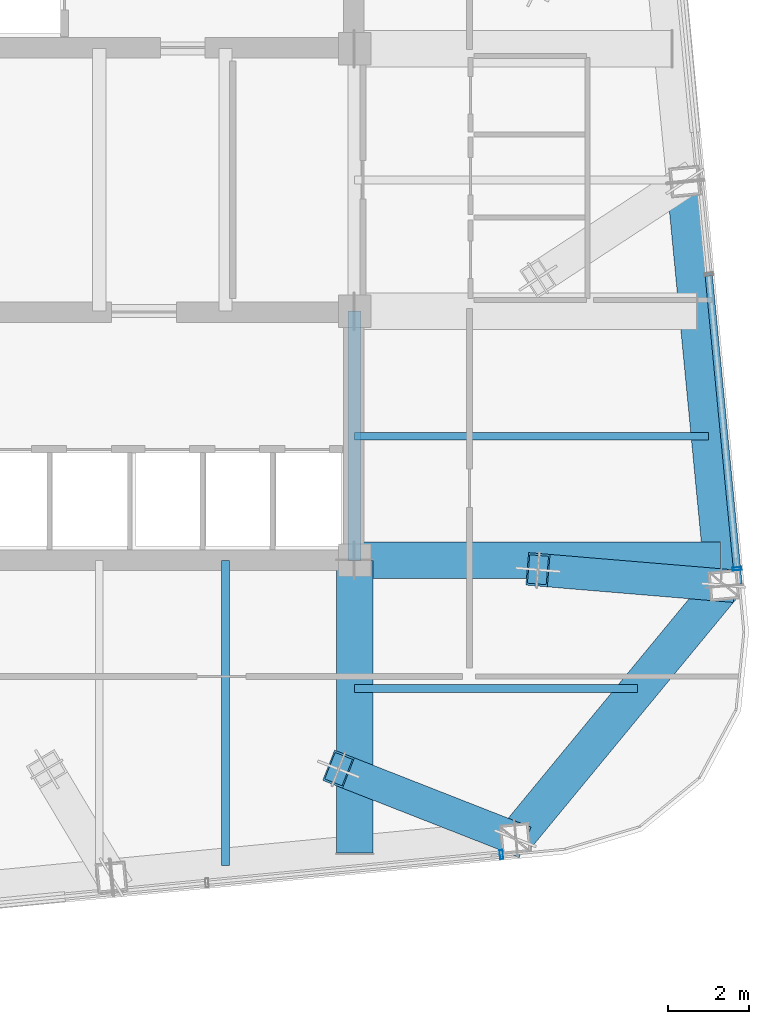
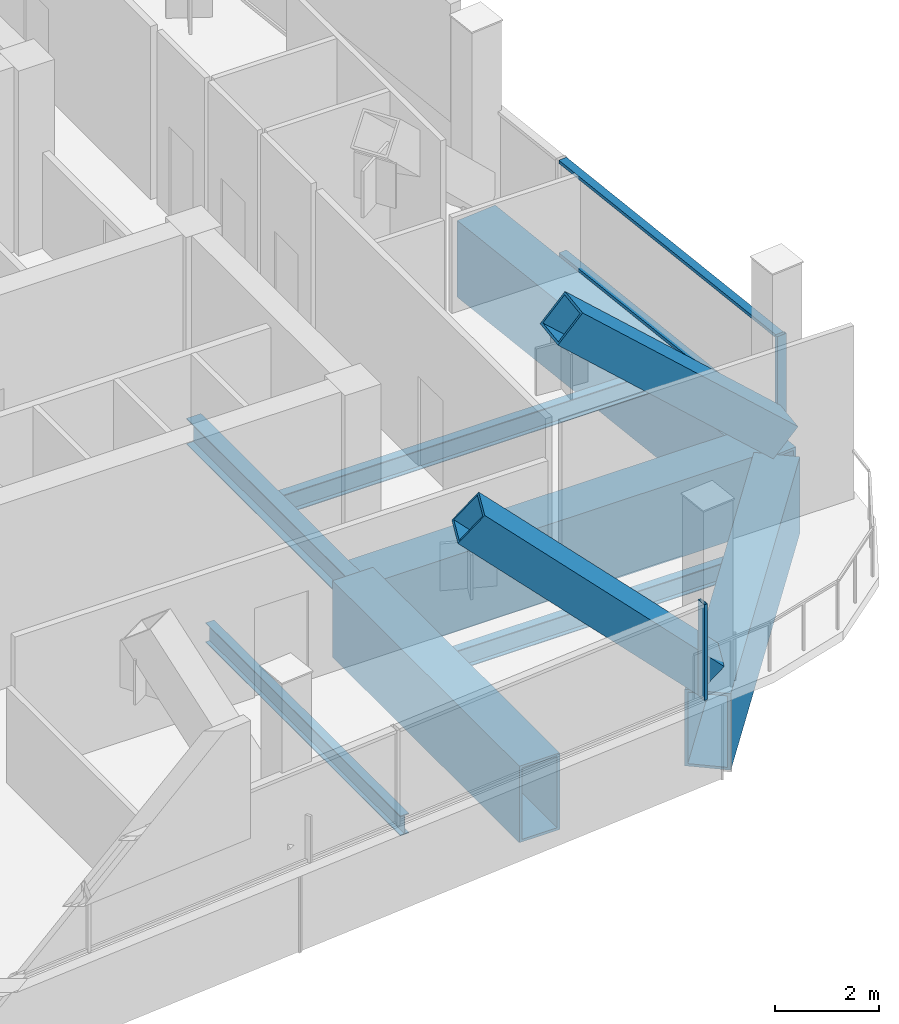
# One storey, part 8 of 22: 8 beams, 6 members, 2 elements without a shape of their own.
"""IFC4 building model written with IfcOpenShell, lengths in metres."""

from ifc_helpers import new_model, si_unit, direction, frame, origin, origin_2d, place, context, subcontext, project, spatial, hollow_rectangle, i_section, extrude, material, layer, layer_set, material_profile, profile_set, type_object, element, aggregate, save


model = new_model("IFC4")

# Units and contexts
model_context = context("Model", 3, precision=1e-05, world=origin(), true_north=direction((0.0, 1.0)))
body_context = subcontext(model_context, "Body", "Model", "MODEL_VIEW")
ifc_project = project(units=[si_unit("LENGTHUNIT", "METRE"), si_unit("AREAUNIT", "SQUARE_METRE"), si_unit("VOLUMEUNIT", "CUBIC_METRE"), si_unit("PLANEANGLEUNIT", "RADIAN"), si_unit("MASSUNIT", "GRAM", prefix="KILO")], contexts=[model_context])

# Site, building, storey
site_placement = place(None, origin())
site = spatial("IfcSite", under=ifc_project, at=site_placement, CompositionType="ELEMENT")
building_placement = place(site_placement, origin())
building = spatial("IfcBuilding", under=site, at=building_placement, Name="Qhalaya Broadcast Tower", CompositionType="ELEMENT")
storey_placement = place(building_placement, frame((0.0, 0.0, 183.60009765625)))
storey = spatial("IfcBuildingStorey", under=building, at=storey_placement, Name="L54", CompositionType="ELEMENT", Elevation=183.60009765625)

# Beams
ifc_material_1 = material(Name="Structural Steel ASTM A572 Grade 50", Category="steel")
ifc_material_profile_1 = material_profile(ifc_material_1, hollow_rectangle(XDim=0.89990234375, YDim=1.800048828125, WallThickness=0.06005859375, at=origin_2d()), Name="BOX 900x1800x60")
ifc_profile_set_1 = profile_set([ifc_material_profile_1], Name="Structural Steel ASTM A572 Grade 50")
beam_type_1 = type_object("IfcBeamType", Name="Block Cantilever Transfer Box Girder TG1", PredefinedType="USERDEFINED", material=ifc_profile_set_1)
beam_1_placement = place(storey_placement, frame((13.3203125, -15.58203125, -1.1201171875), z_axis=(0.636085107008, 0.771618906354, 0.0), x_axis=(-0.771618906354, 0.636085107008, 0.0)))
element("IfcBeam", 1, at=beam_1_placement, inside=storey, type_object=beam_type_1, Name="L54 TG1 L54-SPR-04", ObjectType="GIRDER", PredefinedType="USERDEFINED", context=body_context, shape_type="SweptSolid", body=[
    extrude(hollow_rectangle(XDim=0.89990234375, YDim=1.800048828125, WallThickness=0.06005859375, at=origin_2d()), origin(), (0.0, 0.0, 1.0), 8.06103515625),
])
beam_2_placement = place(storey_placement, frame((18.44775390625, -9.362060546875, -1.1201171875), z_axis=(-0.095826293365, 0.995398071879, 0.0), x_axis=(-0.995398071879, -0.095826293365, 0.0)))
element("IfcBeam", 2, at=beam_2_placement, inside=storey, type_object=beam_type_1, Name="L54 TG1 L54-SPR-05", ObjectType="GIRDER", PredefinedType="USERDEFINED", context=body_context, shape_type="SweptSolid", body=[
    extrude(hollow_rectangle(XDim=0.89990234375, YDim=1.800048828125, WallThickness=0.06005859375, at=origin_2d()), origin(), (0.0, 0.0, 1.0), 9.966796875),
])
beam_3_placement = place(storey_placement, frame((9.375, -15.94189453125, -1.1201171875), z_axis=(0.0, 1.0, 0.0), x_axis=(-1.0, 0.0, 0.0)))
element("IfcBeam", 3, at=beam_3_placement, inside=storey, type_object=beam_type_1, Name="L54 TG1 L54-PGXS2-1", ObjectType="GIRDER", PredefinedType="USERDEFINED", context=body_context, shape_type="SweptSolid", body=[
    extrude(hollow_rectangle(XDim=0.89990234375, YDim=1.800048828125, WallThickness=0.06005859375, at=origin_2d()), origin(), (0.0, 0.0, 1.0), 7.19189453125),
])
beam_4_placement = place(storey_placement, frame((9.375, -8.75, -1.1201171875), z_axis=(1.0, 0.0, 0.0), x_axis=(0.0, 1.0, 0.0)))
element("IfcBeam", 4, at=beam_4_placement, inside=storey, type_object=beam_type_1, Name="L54 TG1 L54-PGYE1-1", ObjectType="GIRDER", PredefinedType="USERDEFINED", context=body_context, shape_type="SweptSolid", body=[
    extrude(hollow_rectangle(XDim=0.89990234375, YDim=1.800048828125, WallThickness=0.06005859375, at=origin_2d()), origin(), (0.0, 0.0, 1.0), 8.993896484375),
])
ifc_material_2 = material(Name="Structural Steel ASTM A992 Grade 50", Category="steel")
ifc_material_profile_2 = material_profile(ifc_material_2, i_section(OverallWidth=0.19189453125, OverallDepth=0.462890625, WebThickness=0.010498046875, FlangeThickness=0.017578125, at=origin_2d()), Name="W18X60")
ifc_profile_set_2 = profile_set([ifc_material_profile_2], Name="Structural Steel ASTM A992 Grade 50")
beam_type_2 = type_object("IfcBeamType", Name="Composite Floor Joist J03", PredefinedType="JOIST", material=ifc_profile_set_2)
beam_5_placement = place(storey_placement, frame((6.199951171875, -16.24755859375, -0.45166015625), z_axis=(0.0, 1.0, 0.0), x_axis=(-1.0, 0.0, 0.0)))
element("IfcBeam", 5, at=beam_5_placement, inside=storey, type_object=beam_type_2, Name="L54 J03 L54-JNS5-1", PredefinedType="JOIST", context=body_context, shape_type="SweptSolid", body=[
    extrude(i_section(OverallWidth=0.19189453125, OverallDepth=0.462890625, WebThickness=0.010498046875, FlangeThickness=0.017578125, at=origin_2d()), origin(), (0.0, 0.0, 1.0), 7.49755859375),
])
beam_6_placement = place(storey_placement, frame((9.375, -11.89990234375, -0.45166015625), z_axis=(1.0, 0.0, 0.0), x_axis=(0.0, 1.0, 0.0)))
element("IfcBeam", 6, at=beam_6_placement, inside=storey, type_object=beam_type_2, Name="L54 J03 L54-JWE2E-1", PredefinedType="JOIST", context=body_context, shape_type="SweptSolid", body=[
    extrude(i_section(OverallWidth=0.19189453125, OverallDepth=0.462890625, WebThickness=0.010498046875, FlangeThickness=0.017578125, at=origin_2d()), origin(), (0.0, 0.0, 1.0), 6.95458984375),
])
beam_7_placement = place(storey_placement, frame((9.375, -5.699951171875, -0.45166015625), z_axis=(1.0, 0.0, 0.0), x_axis=(0.0, 1.0, 0.0)))
element("IfcBeam", 7, at=beam_7_placement, inside=storey, type_object=beam_type_2, Name="L54 J03 L54-JWE3E-1", PredefinedType="JOIST", context=body_context, shape_type="SweptSolid", body=[
    extrude(i_section(OverallWidth=0.19189453125, OverallDepth=0.462890625, WebThickness=0.010498046875, FlangeThickness=0.017578125, at=origin_2d()), origin(), (0.0, 0.0, 1.0), 8.7001953125),
])
ifc_material_profile_3 = material_profile(ifc_material_2, i_section(OverallWidth=0.323974609375, OverallDepth=0.612060546875, WebThickness=0.0126953125, FlangeThickness=0.01904296875, at=origin_2d()), Name="W24X104")
ifc_profile_set_3 = profile_set([ifc_material_profile_3], Name="Structural Steel ASTM A992 Grade 50")
beam_type_3 = type_object("IfcBeamType", Name="Core Frame Tie Beam B04", PredefinedType="BEAM", material=ifc_profile_set_3)
beam_8_placement = place(storey_placement, frame((9.375, -8.75, -0.526123046875), z_axis=(0.0, 1.0, 0.0), x_axis=(-1.0, 0.0, 0.0)))
element("IfcBeam", 8, at=beam_8_placement, inside=storey, type_object=beam_type_3, Name="L54 B04 L54-CCS2", PredefinedType="BEAM", context=body_context, shape_type="SweptSolid", body=[
    extrude(i_section(OverallWidth=0.323974609375, OverallDepth=0.612060546875, WebThickness=0.0126953125, FlangeThickness=0.01904296875, at=origin_2d()), origin(), (0.0, 0.0, 1.0), 6.125),
])

# Curtain wall, member
ifc_material_3 = material(Name="Fired Architectural Terracotta", Category="masonry")
ifc_layer = layer(ifc_material_3, 0.219970703125, Name="Fired Architectural Terracotta")
ifc_layer_set = layer_set([ifc_layer], Name="Fired Architectural Terracotta")
curtain_wall_type = type_object("IfcCurtainWallType", Name="Block-Cap Unitised Terracotta Spandrel Wall CW-07", PredefinedType="NOTDEFINED", material=ifc_layer_set)
curtain_wall_1_placement = place(storey_placement, origin())
curtain_wall_1 = element("IfcCurtainWall", 9, at=curtain_wall_1_placement, inside=storey, type_object=curtain_wall_type, Name="L54 Unitised Curtain Wall L54-CW-S", PredefinedType="NOTDEFINED")
ifc_material_4 = material(Name="Anodised Aluminium 6063-T6", Category="aluminium")
ifc_material_profile_4 = material_profile(ifc_material_4, hollow_rectangle(XDim=0.074951171875, YDim=0.219970703125, WallThickness=0.00390625, at=origin_2d()), Name="ALU-MUL 75x220x4")
ifc_profile_set_4 = profile_set([ifc_material_profile_4], Name="Anodised Aluminium 6063-T6")
member_type_1 = type_object("IfcMemberType", Name="Unitised Curtain-Wall Mullion M01", PredefinedType="MULLION", material=ifc_profile_set_4)
member_1_placement = place(storey_placement, frame((12.98095703125, -15.976318359375, 0.0), z_axis=(0.0, 0.0, 1.0), x_axis=(-0.995396167806, -0.095846069906, 0.0)))
member_1 = element("IfcMember", 10, at=member_1_placement, type_object=member_type_1, Name="CW-07 mullion 1", PredefinedType="MULLION", context=body_context, shape_type="SweptSolid", body=[
    extrude(hollow_rectangle(XDim=0.074951171875, YDim=0.219970703125, WallThickness=0.00390625, at=origin_2d()), origin(), (0.0, 0.0, 1.0), 2.25),
])
aggregate(curtain_wall_1, [member_1])

# Curtain wall, members
curtain_wall_2_placement = place(storey_placement, origin())
curtain_wall_2 = element("IfcCurtainWall", 11, at=curtain_wall_2_placement, inside=storey, type_object=curtain_wall_type, Name="L54 Unitised Curtain Wall L54-CW-E", PredefinedType="NOTDEFINED")
member_2_placement = place(storey_placement, frame((18.770263671875, -8.95361328125, 0.0), z_axis=(0.0, 0.0, 1.0), x_axis=(0.095846069906, -0.995396167806, 0.0)))
member_2 = element("IfcMember", 12, at=member_2_placement, type_object=member_type_1, Name="CW-07 mullion 5", PredefinedType="MULLION", context=body_context, shape_type="SweptSolid", body=[
    extrude(hollow_rectangle(XDim=0.074951171875, YDim=0.219970703125, WallThickness=0.00390625, at=origin_2d()), origin(), (0.0, 0.0, 1.0), 2.25),
])
ifc_material_profile_5 = material_profile(ifc_material_4, hollow_rectangle(XDim=0.074951171875, YDim=0.179931640625, WallThickness=0.00390625, at=origin_2d()), Name="ALU-TRN 75x180x4")
ifc_profile_set_5 = profile_set([ifc_material_profile_5], Name="Anodised Aluminium 6063-T6")
member_type_2 = type_object("IfcMemberType", Name="Unitised Curtain-Wall Transom T01", PredefinedType="USERDEFINED", material=ifc_profile_set_5)
member_3_placement = place(storey_placement, frame((18.0771484375, -1.755859375, 0.037353515625), z_axis=(0.095843684629, -0.99539639748, 0.0), x_axis=(0.0, 0.0, 1.0)))
member_3 = element("IfcMember", 13, at=member_3_placement, type_object=member_type_2, Name="CW-07 transom 4.1", ObjectType="TRANSOM", PredefinedType="USERDEFINED", context=body_context, shape_type="SweptSolid", body=[
    extrude(hollow_rectangle(XDim=0.074951171875, YDim=0.179931640625, WallThickness=0.00390625, at=origin_2d()), origin(), (0.0, 0.0, 1.0), 7.193603515625),
])
member_4_placement = place(storey_placement, frame((18.0771484375, -1.755859375, 2.21240234375), z_axis=(0.095843684629, -0.99539639748, 0.0), x_axis=(0.0, 0.0, 1.0)))
member_4 = element("IfcMember", 14, at=member_4_placement, type_object=member_type_2, Name="CW-07 transom 4.2", ObjectType="TRANSOM", PredefinedType="USERDEFINED", context=body_context, shape_type="SweptSolid", body=[
    extrude(hollow_rectangle(XDim=0.074951171875, YDim=0.179931640625, WallThickness=0.00390625, at=origin_2d()), origin(), (0.0, 0.0, 1.0), 7.193603515625),
])
aggregate(curtain_wall_2, [member_2, member_3, member_4])

# Members
ifc_material_profile_6 = material_profile(ifc_material_1, hollow_rectangle(XDim=0.800048828125, YDim=0.800048828125, WallThickness=0.050048828125, at=origin_2d()), Name="BOX 800x800x50")
ifc_profile_set_6 = profile_set([ifc_material_profile_6], Name="Structural Steel ASTM A572 Grade 50")
member_type_3 = type_object("IfcMemberType", Name="Upper Exoskeleton Transfer Strut RK2", PredefinedType="BRACE", material=ifc_profile_set_6)
member_5_placement = place(storey_placement, frame((13.3203125, -15.58203125, 0.312255859375), z_axis=(-0.70374317362, 0.275987029277, 0.654657700829), x_axis=(-0.365098207971, -0.930969010514, 0.0)))
element("IfcMember", 15, at=member_5_placement, inside=storey, type_object=member_type_3, Name="L54 Inclined Exoskeleton Transfer Strut 04", PredefinedType="BRACE", context=body_context, shape_type="SweptSolid", body=[
    extrude(hollow_rectangle(XDim=0.800048828125, YDim=0.800048828125, WallThickness=0.050048828125, at=origin_2d()), origin(), (0.0, 0.0, 1.0), 6.16748046875),
])
member_6_placement = place(storey_placement, frame((18.44775390625, -9.362060546875, 0.31005859375), z_axis=(-0.747613007868, 0.062534171957, 0.661183989374), x_axis=(-0.083354024427, -0.996519998099, 0.0)))
element("IfcMember", 16, at=member_6_placement, inside=storey, type_object=member_type_3, Name="L54 Inclined Exoskeleton Transfer Strut 05", PredefinedType="BRACE", context=body_context, shape_type="SweptSolid", body=[
    extrude(hollow_rectangle(XDim=0.800048828125, YDim=0.800048828125, WallThickness=0.050048828125, at=origin_2d()), origin(), (0.0, 0.0, 1.0), 6.10986328125),
])

save(model, "model.ifc")
